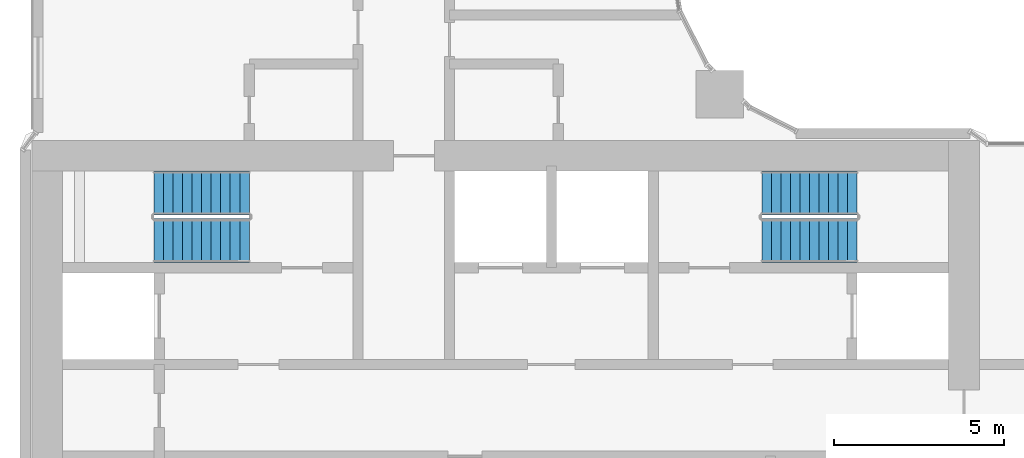
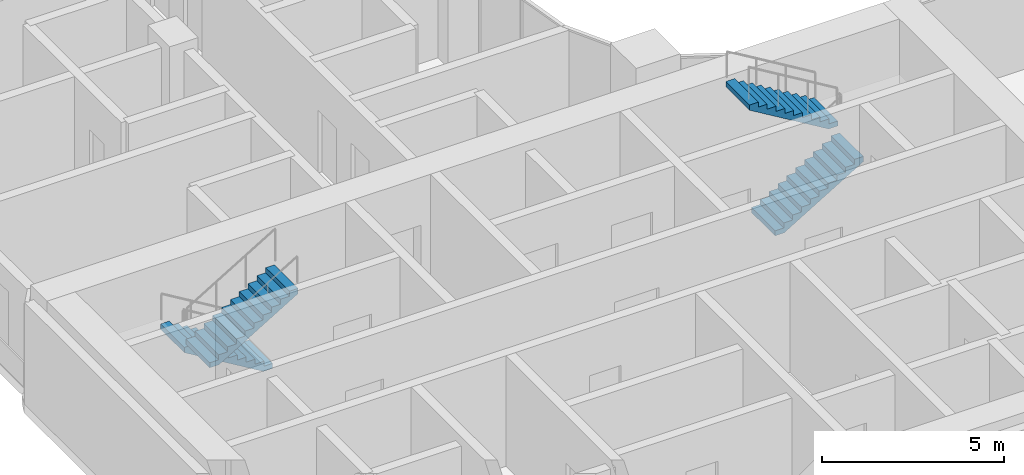
# One storey, part 24 of 31: 4 stair flights, 2 elements without a shape of their own.
"""IFC4 building model written with IfcOpenShell, lengths in metres."""

from ifc_helpers import new_model, si_unit, direction, frame, origin, place, context, subcontext, project, spatial, triangles, source, transform, mapped, material, type_object, element, aggregate, save


model = new_model("IFC4")

# Units and contexts
model_context = context("Model", 3, precision=1e-05, world=origin(), true_north=direction((0.0, 1.0)))
body_context = subcontext(model_context, "Body", "Model", "MODEL_VIEW")
ifc_project = project(units=[si_unit("LENGTHUNIT", "METRE"), si_unit("AREAUNIT", "SQUARE_METRE"), si_unit("VOLUMEUNIT", "CUBIC_METRE"), si_unit("PLANEANGLEUNIT", "RADIAN"), si_unit("MASSUNIT", "GRAM", prefix="KILO")], contexts=[model_context])

# Site, building, storey
site_placement = place(None, origin())
site = spatial("IfcSite", under=ifc_project, at=site_placement, CompositionType="ELEMENT")
building_placement = place(site_placement, origin())
building = spatial("IfcBuilding", under=site, at=building_placement, Name="Ogive Portal Towers", CompositionType="ELEMENT")
storey_placement = place(building_placement, frame((0.0, 0.0, 40.89990234375)))
storey = spatial("IfcBuildingStorey", under=building, at=storey_placement, Name="L08", CompositionType="ELEMENT", Elevation=40.89990234375)

# Stair, stair flights
ifc_material = material(Name="Concrete C40/50", Category="concrete")
stair_type = type_object("IfcStairType", Name="INT-STAIR", PredefinedType="HALF_TURN_STAIR", material=ifc_material)
stair_1_placement = place(storey_placement, origin())
stair_1 = element("IfcStair", 1, at=stair_1_placement, inside=storey, type_object=stair_type, Name="L08 Exit Stair ST-A1", PredefinedType="HALF_TURN_STAIR")
stair_flight_type = type_object("IfcStairFlightType", Name="INT-FLIGHT", PredefinedType="STRAIGHT", material=ifc_material)
shared_shape = source(origin(), body_context, "Body", "Tessellation", [
    triangles([(0.0, -0.650146484375, 0.0), (0.0, -0.376220703125, 0.0), (0.0, -0.192626953125, 0.0), (0.0, -0.081298828125, 0.0), (0.0, -0.024169921875, 0.0), (0.0, -0.003173828125, 0.0), (0.0, 0.0, 0.0), (0.0, 0.0029296875, 0.0), (0.0, 0.02392578125, 0.0), (0.0, 0.0810546875, 0.0), (0.0, 0.1923828125, 0.0), (0.0, 0.3759765625, 0.0), (0.0, 0.64990234375, 0.0), (0.0, -0.650146484375, 0.168212890625), (0.0, -0.376220703125, 0.168212890625), (0.0, -0.192626953125, 0.168212890625), (0.0, -0.081298828125, 0.168212890625), (0.0, -0.024169921875, 0.168212890625), (0.0, -0.003173828125, 0.168212890625), (0.0, 0.0, 0.168212890625), (0.0, 0.0029296875, 0.168212890625), (0.0, 0.02392578125, 0.168212890625), (0.0, 0.0810546875, 0.168212890625), (0.0, 0.1923828125, 0.168212890625), (0.0, 0.3759765625, 0.168212890625), (0.0, 0.64990234375, 0.168212890625), (0.280029296875, -0.650146484375, 0.168212890625), (0.280029296875, -0.376220703125, 0.168212890625), (0.280029296875, -0.192626953125, 0.168212890625), (0.280029296875, -0.081298828125, 0.168212890625), (0.280029296875, -0.024169921875, 0.168212890625), (0.280029296875, -0.003173828125, 0.168212890625), (0.280029296875, 0.0, 0.168212890625), (0.280029296875, 0.0029296875, 0.168212890625), (0.280029296875, 0.02392578125, 0.168212890625), (0.280029296875, 0.0810546875, 0.168212890625), (0.280029296875, 0.1923828125, 0.168212890625), (0.280029296875, 0.3759765625, 0.168212890625), (0.280029296875, 0.64990234375, 0.168212890625), (0.280029296875, -0.650146484375, 0.33642578125), (0.280029296875, -0.376220703125, 0.33642578125), (0.280029296875, -0.192626953125, 0.33642578125), (0.280029296875, -0.081298828125, 0.33642578125), (0.280029296875, -0.024169921875, 0.33642578125), (0.280029296875, -0.003173828125, 0.33642578125), (0.280029296875, 0.0, 0.33642578125), (0.280029296875, 0.0029296875, 0.33642578125), (0.280029296875, 0.02392578125, 0.33642578125), (0.280029296875, 0.0810546875, 0.33642578125), (0.280029296875, 0.1923828125, 0.33642578125), (0.280029296875, 0.3759765625, 0.33642578125), (0.280029296875, 0.64990234375, 0.33642578125), (0.56005859375, -0.650146484375, 0.33642578125), (0.56005859375, -0.376220703125, 0.33642578125), (0.56005859375, -0.192626953125, 0.33642578125), (0.56005859375, -0.081298828125, 0.33642578125), (0.56005859375, -0.024169921875, 0.33642578125), (0.56005859375, -0.003173828125, 0.33642578125), (0.56005859375, 0.0, 0.33642578125), (0.56005859375, 0.0029296875, 0.33642578125), (0.56005859375, 0.02392578125, 0.33642578125), (0.56005859375, 0.0810546875, 0.33642578125), (0.56005859375, 0.1923828125, 0.33642578125), (0.56005859375, 0.3759765625, 0.33642578125), (0.56005859375, 0.64990234375, 0.33642578125), (0.56005859375, -0.650146484375, 0.504638671875), (0.56005859375, -0.376220703125, 0.504638671875), (0.56005859375, -0.192626953125, 0.504638671875), (0.56005859375, -0.081298828125, 0.504638671875), (0.56005859375, -0.024169921875, 0.504638671875), (0.56005859375, -0.003173828125, 0.504638671875), (0.56005859375, 0.0, 0.504638671875), (0.56005859375, 0.0029296875, 0.504638671875), (0.56005859375, 0.02392578125, 0.504638671875), (0.56005859375, 0.0810546875, 0.504638671875), (0.56005859375, 0.1923828125, 0.504638671875), (0.56005859375, 0.3759765625, 0.504638671875), (0.56005859375, 0.64990234375, 0.504638671875), (0.840087890625, -0.650146484375, 0.504638671875), (0.840087890625, -0.376220703125, 0.504638671875), (0.840087890625, -0.192626953125, 0.504638671875), (0.840087890625, -0.081298828125, 0.504638671875), (0.840087890625, -0.024169921875, 0.504638671875), (0.840087890625, -0.003173828125, 0.504638671875), (0.840087890625, 0.0, 0.504638671875), (0.840087890625, 0.0029296875, 0.504638671875), (0.840087890625, 0.02392578125, 0.504638671875), (0.840087890625, 0.0810546875, 0.504638671875), (0.840087890625, 0.1923828125, 0.504638671875), (0.840087890625, 0.3759765625, 0.504638671875), (0.840087890625, 0.64990234375, 0.504638671875), (0.840087890625, -0.650146484375, 0.672607421875), (0.840087890625, -0.376220703125, 0.672607421875), (0.840087890625, -0.192626953125, 0.672607421875), (0.840087890625, -0.081298828125, 0.672607421875), (0.840087890625, -0.024169921875, 0.672607421875), (0.840087890625, -0.003173828125, 0.672607421875), (0.840087890625, 0.0, 0.672607421875), (0.840087890625, 0.0029296875, 0.672607421875), (0.840087890625, 0.02392578125, 0.672607421875), (0.840087890625, 0.0810546875, 0.672607421875), (0.840087890625, 0.1923828125, 0.672607421875), (0.840087890625, 0.3759765625, 0.672607421875), (0.840087890625, 0.64990234375, 0.672607421875), (1.1201171875, -0.650146484375, 0.672607421875), (1.1201171875, -0.376220703125, 0.672607421875), (1.1201171875, -0.192626953125, 0.672607421875), (1.1201171875, -0.081298828125, 0.672607421875), (1.1201171875, -0.024169921875, 0.672607421875), (1.1201171875, -0.003173828125, 0.672607421875), (1.1201171875, 0.0, 0.672607421875), (1.1201171875, 0.0029296875, 0.672607421875), (1.1201171875, 0.02392578125, 0.672607421875), (1.1201171875, 0.0810546875, 0.672607421875), (1.1201171875, 0.1923828125, 0.672607421875), (1.1201171875, 0.3759765625, 0.672607421875), (1.1201171875, 0.64990234375, 0.672607421875), (1.1201171875, -0.650146484375, 0.8408203125), (1.1201171875, -0.376220703125, 0.8408203125), (1.1201171875, -0.192626953125, 0.8408203125), (1.1201171875, -0.081298828125, 0.8408203125), (1.1201171875, -0.024169921875, 0.8408203125), (1.1201171875, -0.003173828125, 0.8408203125), (1.1201171875, 0.0, 0.8408203125), (1.1201171875, 0.0029296875, 0.8408203125), (1.1201171875, 0.02392578125, 0.8408203125), (1.1201171875, 0.0810546875, 0.8408203125), (1.1201171875, 0.1923828125, 0.8408203125), (1.1201171875, 0.3759765625, 0.8408203125), (1.1201171875, 0.64990234375, 0.8408203125), (1.39990234375, -0.650146484375, 0.8408203125), (1.39990234375, -0.376220703125, 0.8408203125), (1.39990234375, -0.192626953125, 0.8408203125), (1.39990234375, -0.081298828125, 0.8408203125), (1.39990234375, -0.024169921875, 0.8408203125), (1.39990234375, -0.003173828125, 0.8408203125), (1.39990234375, 0.0, 0.8408203125), (1.39990234375, 0.0029296875, 0.8408203125), (1.39990234375, 0.02392578125, 0.8408203125), (1.39990234375, 0.0810546875, 0.8408203125), (1.39990234375, 0.1923828125, 0.8408203125), (1.39990234375, 0.3759765625, 0.8408203125), (1.39990234375, 0.64990234375, 0.8408203125), (1.39990234375, -0.650146484375, 1.009033203125), (1.39990234375, -0.376220703125, 1.009033203125), (1.39990234375, -0.192626953125, 1.009033203125), (1.39990234375, -0.081298828125, 1.009033203125), (1.39990234375, -0.024169921875, 1.009033203125), (1.39990234375, -0.003173828125, 1.009033203125), (1.39990234375, 0.0, 1.009033203125), (1.39990234375, 0.0029296875, 1.009033203125), (1.39990234375, 0.02392578125, 1.009033203125), (1.39990234375, 0.0810546875, 1.009033203125), (1.39990234375, 0.1923828125, 1.009033203125), (1.39990234375, 0.3759765625, 1.009033203125), (1.39990234375, 0.64990234375, 1.009033203125), (1.679931640625, -0.650146484375, 1.009033203125), (1.679931640625, -0.376220703125, 1.009033203125), (1.679931640625, -0.192626953125, 1.009033203125), (1.679931640625, -0.081298828125, 1.009033203125), (1.679931640625, -0.024169921875, 1.009033203125), (1.679931640625, -0.003173828125, 1.009033203125), (1.679931640625, 0.0, 1.009033203125), (1.679931640625, 0.0029296875, 1.009033203125), (1.679931640625, 0.02392578125, 1.009033203125), (1.679931640625, 0.0810546875, 1.009033203125), (1.679931640625, 0.1923828125, 1.009033203125), (1.679931640625, 0.3759765625, 1.009033203125), (1.679931640625, 0.64990234375, 1.009033203125), (1.679931640625, -0.650146484375, 1.17724609375), (1.679931640625, -0.376220703125, 1.17724609375), (1.679931640625, -0.192626953125, 1.17724609375), (1.679931640625, -0.081298828125, 1.17724609375), (1.679931640625, -0.024169921875, 1.17724609375), (1.679931640625, -0.003173828125, 1.17724609375), (1.679931640625, 0.0, 1.17724609375), (1.679931640625, 0.0029296875, 1.17724609375), (1.679931640625, 0.02392578125, 1.17724609375), (1.679931640625, 0.0810546875, 1.17724609375), (1.679931640625, 0.1923828125, 1.17724609375), (1.679931640625, 0.3759765625, 1.17724609375), (1.679931640625, 0.64990234375, 1.17724609375), (1.9599609375, -0.650146484375, 1.17724609375), (1.9599609375, -0.376220703125, 1.17724609375), (1.9599609375, -0.192626953125, 1.17724609375), (1.9599609375, -0.081298828125, 1.17724609375), (1.9599609375, -0.024169921875, 1.17724609375), (1.9599609375, -0.003173828125, 1.17724609375), (1.9599609375, 0.0, 1.17724609375), (1.9599609375, 0.0029296875, 1.17724609375), (1.9599609375, 0.02392578125, 1.17724609375), (1.9599609375, 0.0810546875, 1.17724609375), (1.9599609375, 0.1923828125, 1.17724609375), (1.9599609375, 0.3759765625, 1.17724609375), (1.9599609375, 0.64990234375, 1.17724609375), (1.9599609375, -0.650146484375, 1.345458984375), (1.9599609375, -0.376220703125, 1.345458984375), (1.9599609375, -0.192626953125, 1.345458984375), (1.9599609375, -0.081298828125, 1.345458984375), (1.9599609375, -0.024169921875, 1.345458984375), (1.9599609375, -0.003173828125, 1.345458984375), (1.9599609375, 0.0, 1.345458984375), (1.9599609375, 0.0029296875, 1.345458984375), (1.9599609375, 0.02392578125, 1.345458984375), (1.9599609375, 0.0810546875, 1.345458984375), (1.9599609375, 0.1923828125, 1.345458984375), (1.9599609375, 0.3759765625, 1.345458984375), (1.9599609375, 0.64990234375, 1.345458984375), (2.239990234375, -0.650146484375, 1.345458984375), (2.239990234375, -0.376220703125, 1.345458984375), (2.239990234375, -0.192626953125, 1.345458984375), (2.239990234375, -0.081298828125, 1.345458984375), (2.239990234375, -0.024169921875, 1.345458984375), (2.239990234375, -0.003173828125, 1.345458984375), (2.239990234375, 0.0, 1.345458984375), (2.239990234375, 0.0029296875, 1.345458984375), (2.239990234375, 0.02392578125, 1.345458984375), (2.239990234375, 0.0810546875, 1.345458984375), (2.239990234375, 0.1923828125, 1.345458984375), (2.239990234375, 0.3759765625, 1.345458984375), (2.239990234375, 0.64990234375, 1.345458984375), (2.239990234375, -0.650146484375, 1.513671875), (2.239990234375, -0.376220703125, 1.513671875), (2.239990234375, -0.192626953125, 1.513671875), (2.239990234375, -0.081298828125, 1.513671875), (2.239990234375, -0.024169921875, 1.513671875), (2.239990234375, -0.003173828125, 1.513671875), (2.239990234375, 0.0, 1.513671875), (2.239990234375, 0.0029296875, 1.513671875), (2.239990234375, 0.02392578125, 1.513671875), (2.239990234375, 0.0810546875, 1.513671875), (2.239990234375, 0.1923828125, 1.513671875), (2.239990234375, 0.3759765625, 1.513671875), (2.239990234375, 0.64990234375, 1.513671875), (2.52001953125, -0.650146484375, 1.513671875), (2.52001953125, -0.376220703125, 1.513671875), (2.52001953125, -0.192626953125, 1.513671875), (2.52001953125, -0.081298828125, 1.513671875), (2.52001953125, -0.024169921875, 1.513671875), (2.52001953125, -0.003173828125, 1.513671875), (2.52001953125, 0.0, 1.513671875), (2.52001953125, 0.0029296875, 1.513671875), (2.52001953125, 0.02392578125, 1.513671875), (2.52001953125, 0.0810546875, 1.513671875), (2.52001953125, 0.1923828125, 1.513671875), (2.52001953125, 0.3759765625, 1.513671875), (2.52001953125, 0.64990234375, 1.513671875), (2.52001953125, -0.650146484375, 1.681884765625), (2.52001953125, -0.376220703125, 1.681884765625), (2.52001953125, -0.192626953125, 1.681884765625), (2.52001953125, -0.081298828125, 1.681884765625), (2.52001953125, -0.024169921875, 1.681884765625), (2.52001953125, -0.003173828125, 1.681884765625), (2.52001953125, 0.0, 1.681884765625), (2.52001953125, 0.0029296875, 1.681884765625), (2.52001953125, 0.02392578125, 1.681884765625), (2.52001953125, 0.0810546875, 1.681884765625), (2.52001953125, 0.1923828125, 1.681884765625), (2.52001953125, 0.3759765625, 1.681884765625), (2.52001953125, 0.64990234375, 1.681884765625), (2.800048828125, -0.650146484375, 1.681884765625), (2.800048828125, -0.376220703125, 1.681884765625), (2.800048828125, -0.192626953125, 1.681884765625), (2.800048828125, -0.081298828125, 1.681884765625), (2.800048828125, -0.024169921875, 1.681884765625), (2.800048828125, -0.003173828125, 1.681884765625), (2.800048828125, 0.0, 1.681884765625), (2.800048828125, 0.0029296875, 1.681884765625), (2.800048828125, 0.02392578125, 1.681884765625), (2.800048828125, 0.0810546875, 1.681884765625), (2.800048828125, 0.1923828125, 1.681884765625), (2.800048828125, 0.3759765625, 1.681884765625), (2.800048828125, 0.64990234375, 1.681884765625), (2.800048828125, -0.650146484375, 1.5068359375), (2.800048828125, -0.376220703125, 1.5068359375), (2.800048828125, -0.192626953125, 1.5068359375), (2.800048828125, -0.081298828125, 1.5068359375), (2.800048828125, -0.024169921875, 1.5068359375), (2.800048828125, -0.003173828125, 1.5068359375), (2.800048828125, 0.0, 1.5068359375), (2.800048828125, 0.0029296875, 1.5068359375), (2.800048828125, 0.02392578125, 1.5068359375), (2.800048828125, 0.0810546875, 1.5068359375), (2.800048828125, 0.1923828125, 1.5068359375), (2.800048828125, 0.3759765625, 1.5068359375), (2.800048828125, 0.64990234375, 1.5068359375), (0.291015625, -0.650146484375, 0.0), (0.291015625, -0.376220703125, 0.0), (0.291015625, -0.192626953125, 0.0), (0.291015625, -0.081298828125, 0.0), (0.291015625, -0.024169921875, 0.0), (0.291015625, -0.003173828125, 0.0), (0.291015625, 0.0, 0.0), (0.291015625, 0.0029296875, 0.0), (0.291015625, 0.02392578125, 0.0), (0.291015625, 0.0810546875, 0.0), (0.291015625, 0.1923828125, 0.0), (0.291015625, 0.3759765625, 0.0), (0.291015625, 0.64990234375, 0.0)], [[1, 14, 15], [1, 15, 2], [2, 15, 16], [2, 16, 3], [3, 16, 17], [3, 17, 4], [4, 17, 18], [4, 18, 5], [5, 18, 19], [5, 19, 6], [6, 19, 20], [6, 20, 7], [7, 20, 21], [7, 21, 8], [8, 21, 22], [8, 22, 9], [9, 22, 23], [9, 23, 10], [10, 23, 24], [10, 24, 11], [11, 24, 25], [11, 25, 12], [12, 25, 26], [12, 26, 13], [14, 27, 28], [14, 28, 15], [15, 28, 29], [15, 29, 16], [16, 29, 30], [16, 30, 17], [17, 30, 31], [17, 31, 18], [18, 31, 32], [18, 32, 19], [19, 32, 33], [19, 33, 20], [20, 33, 34], [20, 34, 21], [21, 34, 35], [21, 35, 22], [22, 35, 36], [22, 36, 23], [23, 36, 37], [23, 37, 24], [24, 37, 38], [24, 38, 25], [25, 38, 39], [25, 39, 26], [27, 40, 41], [27, 41, 28], [28, 41, 42], [28, 42, 29], [29, 42, 43], [29, 43, 30], [30, 43, 44], [30, 44, 31], [31, 44, 45], [31, 45, 32], [32, 45, 46], [32, 46, 33], [33, 46, 47], [33, 47, 34], [34, 47, 48], [34, 48, 35], [35, 48, 49], [35, 49, 36], [36, 49, 50], [36, 50, 37], [37, 50, 51], [37, 51, 38], [38, 51, 52], [38, 52, 39], [40, 53, 54], [40, 54, 41], [41, 54, 55], [41, 55, 42], [42, 55, 56], [42, 56, 43], [43, 56, 57], [43, 57, 44], [44, 57, 58], [44, 58, 45], [45, 58, 59], [45, 59, 46], [46, 59, 60], [46, 60, 47], [47, 60, 61], [47, 61, 48], [48, 61, 62], [48, 62, 49], [49, 62, 63], [49, 63, 50], [50, 63, 64], [50, 64, 51], [51, 64, 65], [51, 65, 52], [53, 66, 67], [53, 67, 54], [54, 67, 68], [54, 68, 55], [55, 68, 69], [55, 69, 56], [56, 69, 70], [56, 70, 57], [57, 70, 71], [57, 71, 58], [58, 71, 72], [58, 72, 59], [59, 72, 73], [59, 73, 60], [60, 73, 74], [60, 74, 61], [61, 74, 75], [61, 75, 62], [62, 75, 76], [62, 76, 63], [63, 76, 77], [63, 77, 64], [64, 77, 78], [64, 78, 65], [66, 79, 80], [66, 80, 67], [67, 80, 81], [67, 81, 68], [68, 81, 82], [68, 82, 69], [69, 82, 83], [69, 83, 70], [70, 83, 84], [70, 84, 71], [71, 84, 85], [71, 85, 72], [72, 85, 86], [72, 86, 73], [73, 86, 87], [73, 87, 74], [74, 87, 88], [74, 88, 75], [75, 88, 89], [75, 89, 76], [76, 89, 90], [76, 90, 77], [77, 90, 91], [77, 91, 78], [79, 92, 93], [79, 93, 80], [80, 93, 94], [80, 94, 81], [81, 94, 95], [81, 95, 82], [82, 95, 96], [82, 96, 83], [83, 96, 97], [83, 97, 84], [84, 97, 98], [84, 98, 85], [85, 98, 99], [85, 99, 86], [86, 99, 100], [86, 100, 87], [87, 100, 101], [87, 101, 88], [88, 101, 102], [88, 102, 89], [89, 102, 103], [89, 103, 90], [90, 103, 104], [90, 104, 91], [92, 105, 106], [92, 106, 93], [93, 106, 107], [93, 107, 94], [94, 107, 108], [94, 108, 95], [95, 108, 109], [95, 109, 96], [96, 109, 110], [96, 110, 97], [97, 110, 111], [97, 111, 98], [98, 111, 112], [98, 112, 99], [99, 112, 113], [99, 113, 100], [100, 113, 114], [100, 114, 101], [101, 114, 115], [101, 115, 102], [102, 115, 116], [102, 116, 103], [103, 116, 117], [103, 117, 104], [105, 118, 119], [105, 119, 106], [106, 119, 120], [106, 120, 107], [107, 120, 121], [107, 121, 108], [108, 121, 122], [108, 122, 109], [109, 122, 123], [109, 123, 110], [110, 123, 124], [110, 124, 111], [111, 124, 125], [111, 125, 112], [112, 125, 126], [112, 126, 113], [113, 126, 127], [113, 127, 114], [114, 127, 128], [114, 128, 115], [115, 128, 129], [115, 129, 116], [116, 129, 130], [116, 130, 117], [118, 131, 132], [118, 132, 119], [119, 132, 133], [119, 133, 120], [120, 133, 134], [120, 134, 121], [121, 134, 135], [121, 135, 122], [122, 135, 136], [122, 136, 123], [123, 136, 137], [123, 137, 124], [124, 137, 138], [124, 138, 125], [125, 138, 139], [125, 139, 126], [126, 139, 140], [126, 140, 127], [127, 140, 141], [127, 141, 128], [128, 141, 142], [128, 142, 129], [129, 142, 143], [129, 143, 130], [131, 144, 145], [131, 145, 132], [132, 145, 146], [132, 146, 133], [133, 146, 147], [133, 147, 134], [134, 147, 148], [134, 148, 135], [135, 148, 149], [135, 149, 136], [136, 149, 150], [136, 150, 137], [137, 150, 151], [137, 151, 138], [138, 151, 152], [138, 152, 139], [139, 152, 153], [139, 153, 140], [140, 153, 154], [140, 154, 141], [141, 154, 155], [141, 155, 142], [142, 155, 156], [142, 156, 143], [144, 157, 158], [144, 158, 145], [145, 158, 159], [145, 159, 146], [146, 159, 160], [146, 160, 147], [147, 160, 161], [147, 161, 148], [148, 161, 162], [148, 162, 149], [149, 162, 163], [149, 163, 150], [150, 163, 164], [150, 164, 151], [151, 164, 165], [151, 165, 152], [152, 165, 166], [152, 166, 153], [153, 166, 167], [153, 167, 154], [154, 167, 168], [154, 168, 155], [155, 168, 169], [155, 169, 156], [157, 170, 171], [157, 171, 158], [158, 171, 172], [158, 172, 159], [159, 172, 173], [159, 173, 160], [160, 173, 174], [160, 174, 161], [161, 174, 175], [161, 175, 162], [162, 175, 176], [162, 176, 163], [163, 176, 177], [163, 177, 164], [164, 177, 178], [164, 178, 165], [165, 178, 179], [165, 179, 166], [166, 179, 180], [166, 180, 167], [167, 180, 181], [167, 181, 168], [168, 181, 182], [168, 182, 169], [170, 183, 184], [170, 184, 171], [171, 184, 185], [171, 185, 172], [172, 185, 186], [172, 186, 173], [173, 186, 187], [173, 187, 174], [174, 187, 188], [174, 188, 175], [175, 188, 189], [175, 189, 176], [176, 189, 190], [176, 190, 177], [177, 190, 191], [177, 191, 178], [178, 191, 192], [178, 192, 179], [179, 192, 193], [179, 193, 180], [180, 193, 194], [180, 194, 181], [181, 194, 195], [181, 195, 182], [183, 196, 197], [183, 197, 184], [184, 197, 198], [184, 198, 185], [185, 198, 199], [185, 199, 186], [186, 199, 200], [186, 200, 187], [187, 200, 201], [187, 201, 188], [188, 201, 202], [188, 202, 189], [189, 202, 203], [189, 203, 190], [190, 203, 204], [190, 204, 191], [191, 204, 205], [191, 205, 192], [192, 205, 206], [192, 206, 193], [193, 206, 207], [193, 207, 194], [194, 207, 208], [194, 208, 195], [196, 209, 210], [196, 210, 197], [197, 210, 211], [197, 211, 198], [198, 211, 212], [198, 212, 199], [199, 212, 213], [199, 213, 200], [200, 213, 214], [200, 214, 201], [201, 214, 215], [201, 215, 202], [202, 215, 216], [202, 216, 203], [203, 216, 217], [203, 217, 204], [204, 217, 218], [204, 218, 205], [205, 218, 219], [205, 219, 206], [206, 219, 220], [206, 220, 207], [207, 220, 221], [207, 221, 208], [209, 222, 223], [209, 223, 210], [210, 223, 224], [210, 224, 211], [211, 224, 225], [211, 225, 212], [212, 225, 226], [212, 226, 213], [213, 226, 227], [213, 227, 214], [214, 227, 228], [214, 228, 215], [215, 228, 229], [215, 229, 216], [216, 229, 230], [216, 230, 217], [217, 230, 231], [217, 231, 218], [218, 231, 232], [218, 232, 219], [219, 232, 233], [219, 233, 220], [220, 233, 234], [220, 234, 221], [222, 235, 236], [222, 236, 223], [223, 236, 237], [223, 237, 224], [224, 237, 238], [224, 238, 225], [225, 238, 239], [225, 239, 226], [226, 239, 240], [226, 240, 227], [227, 240, 241], [227, 241, 228], [228, 241, 242], [228, 242, 229], [229, 242, 243], [229, 243, 230], [230, 243, 244], [230, 244, 231], [231, 244, 245], [231, 245, 232], [232, 245, 246], [232, 246, 233], [233, 246, 247], [233, 247, 234], [235, 248, 249], [235, 249, 236], [236, 249, 250], [236, 250, 237], [237, 250, 251], [237, 251, 238], [238, 251, 252], [238, 252, 239], [239, 252, 253], [239, 253, 240], [240, 253, 254], [240, 254, 241], [241, 254, 255], [241, 255, 242], [242, 255, 256], [242, 256, 243], [243, 256, 257], [243, 257, 244], [244, 257, 258], [244, 258, 245], [245, 258, 259], [245, 259, 246], [246, 259, 260], [246, 260, 247], [248, 261, 262], [248, 262, 249], [249, 262, 263], [249, 263, 250], [250, 263, 264], [250, 264, 251], [251, 264, 265], [251, 265, 252], [252, 265, 266], [252, 266, 253], [253, 266, 267], [253, 267, 254], [254, 267, 268], [254, 268, 255], [255, 268, 269], [255, 269, 256], [256, 269, 270], [256, 270, 257], [257, 270, 271], [257, 271, 258], [258, 271, 272], [258, 272, 259], [259, 272, 273], [259, 273, 260], [261, 274, 275], [261, 275, 262], [262, 275, 276], [262, 276, 263], [263, 276, 277], [263, 277, 264], [264, 277, 278], [264, 278, 265], [265, 278, 279], [265, 279, 266], [266, 279, 280], [266, 280, 267], [267, 280, 281], [267, 281, 268], [268, 281, 282], [268, 282, 269], [269, 282, 283], [269, 283, 270], [270, 283, 284], [270, 284, 271], [271, 284, 285], [271, 285, 272], [272, 285, 286], [272, 286, 273], [274, 287, 288], [274, 288, 275], [275, 288, 289], [275, 289, 276], [276, 289, 290], [276, 290, 277], [277, 290, 291], [277, 291, 278], [278, 291, 292], [278, 292, 279], [279, 292, 293], [279, 293, 280], [280, 293, 294], [280, 294, 281], [281, 294, 295], [281, 295, 282], [282, 295, 296], [282, 296, 283], [283, 296, 297], [283, 297, 284], [284, 297, 298], [284, 298, 285], [285, 298, 299], [285, 299, 286], [287, 1, 2], [287, 2, 288], [288, 2, 3], [288, 3, 289], [289, 3, 4], [289, 4, 290], [290, 4, 5], [290, 5, 291], [291, 5, 6], [291, 6, 292], [292, 6, 7], [292, 7, 293], [293, 7, 8], [293, 8, 294], [294, 8, 9], [294, 9, 295], [295, 9, 10], [295, 10, 296], [296, 10, 11], [296, 11, 297], [297, 11, 12], [297, 12, 298], [298, 12, 13], [298, 13, 299], [1, 287, 274], [13, 286, 299], [274, 261, 248], [286, 260, 273], [274, 248, 235], [286, 247, 260], [274, 235, 222], [286, 234, 247], [274, 222, 209], [286, 221, 234], [209, 196, 183], [221, 195, 208], [274, 209, 183], [286, 195, 221], [183, 170, 157], [195, 169, 182], [274, 183, 157], [286, 169, 195], [157, 144, 131], [169, 143, 156], [274, 157, 131], [286, 143, 169], [131, 118, 105], [143, 117, 130], [274, 131, 105], [286, 117, 143], [1, 274, 105], [13, 117, 286], [105, 92, 79], [117, 91, 104], [79, 66, 53], [91, 65, 78], [105, 79, 53], [117, 65, 91], [53, 40, 27], [65, 39, 52], [105, 53, 27], [117, 39, 65], [1, 105, 27], [13, 39, 117], [27, 14, 1], [39, 13, 26]], closed=True),
])
stair_flight_1_placement = place(storey_placement, frame((37.449951171875, 38.39990234375, 0.0), z_axis=(0.0, 0.0, 1.0), x_axis=(-1.0, 0.0, 0.0)))
stair_flight_1 = element("IfcStairFlight", 2, at=stair_flight_1_placement, type_object=stair_flight_type, Name="ST-A1 flight 1", NumberOfRisers=11, NumberOfTreads=10, PredefinedType="STRAIGHT", RiserHeight=0.168181818, TreadLength=0.28, context=body_context, shape_type="MappedRepresentation", body=[
    mapped(shared_shape, transform((0.0, 0.0, 0.0), scale=1.0)),
])
stair_flight_2_placement = place(storey_placement, frame((34.64990234375, 37.0, 1.85009765625), z_axis=(0.0, 0.0, 1.0), x_axis=(1.0, 0.0, 0.0)))
stair_flight_2 = element("IfcStairFlight", 3, at=stair_flight_2_placement, type_object=stair_flight_type, Name="ST-A1 flight 2", NumberOfRisers=11, NumberOfTreads=10, PredefinedType="STRAIGHT", RiserHeight=0.168181818, TreadLength=0.28, context=body_context, shape_type="MappedRepresentation", body=[
    mapped(shared_shape, transform((0.0, 0.0, 0.0), scale=1.0)),
])
aggregate(stair_1, [stair_flight_1, stair_flight_2])

stair_2_placement = place(storey_placement, origin())
stair_2 = element("IfcStair", 4, at=stair_2_placement, inside=storey, type_object=stair_type, Name="L08 Exit Stair ST-A2", PredefinedType="HALF_TURN_STAIR")
stair_flight_3_placement = place(storey_placement, frame((52.550048828125, 37.0, 0.0), z_axis=(0.0, 0.0, 1.0), x_axis=(1.0, 0.0, 0.0)))
stair_flight_3 = element("IfcStairFlight", 5, at=stair_flight_3_placement, type_object=stair_flight_type, Name="ST-A2 flight 1", NumberOfRisers=11, NumberOfTreads=10, PredefinedType="STRAIGHT", RiserHeight=0.168181818, TreadLength=0.28, context=body_context, shape_type="MappedRepresentation", body=[
    mapped(shared_shape, transform((0.0, 0.0, 0.0), scale=1.0)),
])
stair_flight_4_placement = place(storey_placement, frame((55.35009765625, 38.39990234375, 1.85009765625), z_axis=(0.0, 0.0, 1.0), x_axis=(-1.0, 0.0, 0.0)))
stair_flight_4 = element("IfcStairFlight", 6, at=stair_flight_4_placement, type_object=stair_flight_type, Name="ST-A2 flight 2", NumberOfRisers=11, NumberOfTreads=10, PredefinedType="STRAIGHT", RiserHeight=0.168181818, TreadLength=0.28, context=body_context, shape_type="MappedRepresentation", body=[
    mapped(shared_shape, transform((0.0, 0.0, 0.0), scale=1.0)),
])
aggregate(stair_2, [stair_flight_3, stair_flight_4])

save(model, "model.ifc")
